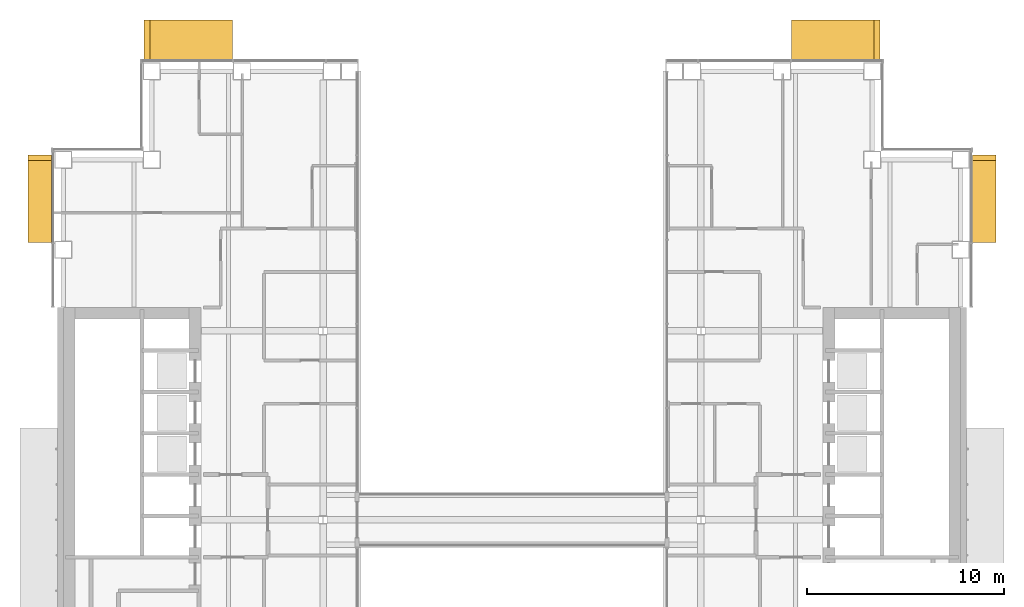
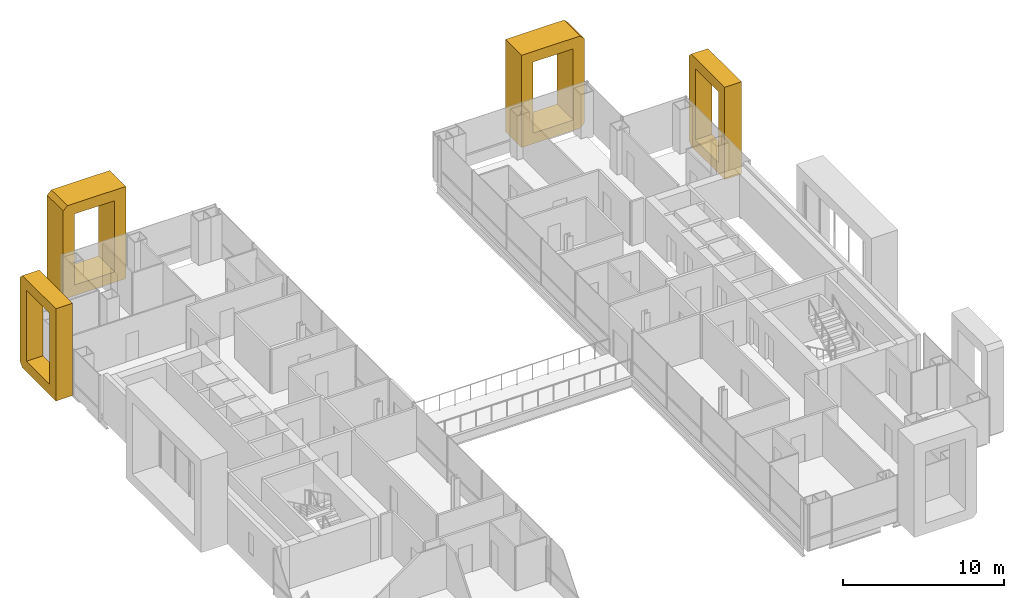
# One storey, part 19 of 20: 4 coverings.
"""IFC4 building model written with IfcOpenShell, lengths in metres."""

import ifcopenshell
import ifcopenshell.guid

model = None  # the IFC model being written
_history = None  # IfcOwnerHistory: only IFC2X3 demands one
_inside = {}  # id of a spatial element -> (the spatial element, [elements in it])
_under = {}  # id of a project, library or spatial element -> (it, [spatial elements below it])
_declared = {}  # id of a project -> (the project, [libraries it declares])
_typed = {}  # id of a type object -> (the type object, [elements of that type])
_made_of = {}  # id of a material, layer set ... -> (it, [elements and type objects made of it])


def new_model(schema):
    """Start an empty IFC model of exactly this schema.

    Asked for "IFC4X3", IfcOpenShell would pick the latest addendum, in which some entities
    have other attributes; the version numbers below select the first issue.
    IFC2X3 requires an IfcOwnerHistory on every rooted entity: one is made here for all.
    """
    global model, _history
    if schema == "IFC4X3":
        model = ifcopenshell.file(schema_version=(4, 3, 0, 0))
    else:
        model = ifcopenshell.file(schema=schema)
    _inside.clear()
    _under.clear()
    _declared.clear()
    _typed.clear()
    _made_of.clear()
    _history = None
    if model.schema == "IFC2X3":
        org = make("IfcOrganization", Name="unknown")
        user = make(
            "IfcPersonAndOrganization",
            ThePerson=make("IfcPerson", FamilyName="unknown"),
            TheOrganization=org,
        )
        app = make(
            "IfcApplication",
            ApplicationDeveloper=org,
            Version="unknown",
            ApplicationFullName="unknown",
            ApplicationIdentifier="unknown",
        )
        _history = make(
            "IfcOwnerHistory",
            OwningUser=user,
            OwningApplication=app,
            ChangeAction="ADDED",
            CreationDate=0,
        )
    return model


def make(cls, **values):
    """One entity of the class cls with the attributes given. An attribute that is None is left unset."""
    return model.create_entity(
        cls, **{name: value for name, value in values.items() if value is not None}
    )


def rooted(cls, **values):
    """An entity with a GlobalId (a new one), such as an element, a storey or a relation."""
    return make(cls, GlobalId=ifcopenshell.guid.new(), OwnerHistory=_history, **values)


def si_unit(unit_type, name, prefix=None):
    """IfcSIUnit, for example si_unit("LENGTHUNIT", "METRE", prefix="MILLI")."""
    return make("IfcSIUnit", UnitType=unit_type, Prefix=prefix, Name=name)


def assignment(units):
    """IfcUnitAssignment: the units of a project."""
    return None if units is None else make("IfcUnitAssignment", Units=units)


def point(xyz):
    """IfcCartesianPoint."""
    return None if xyz is None else make("IfcCartesianPoint", Coordinates=xyz)


def direction(xyz):
    """IfcDirection."""
    return None if xyz is None else make("IfcDirection", DirectionRatios=xyz)


def frame(location, z_axis=None, x_axis=None):
    """IfcAxis2Placement3D, a coordinate frame: its origin and axes. An axis left out is left unset."""
    return make(
        "IfcAxis2Placement3D",
        Location=point(location),
        Axis=direction(z_axis),
        RefDirection=direction(x_axis),
    )


def origin():
    """The frame at (0, 0, 0) with its axes left unset."""
    return frame((0.0, 0.0, 0.0))


def place(relative_to, where):
    """IfcLocalPlacement: puts the frame where relative to a parent placement (None: the world)."""
    return make(
        "IfcLocalPlacement", PlacementRelTo=relative_to, RelativePlacement=where
    )


def context(
    kind, dimensions, precision=None, world=None, true_north=None, identifier=None
):
    """IfcGeometricRepresentationContext, for example the 3D "Model" context."""
    return make(
        "IfcGeometricRepresentationContext",
        ContextIdentifier=identifier,
        ContextType=kind,
        CoordinateSpaceDimension=dimensions,
        Precision=precision,
        WorldCoordinateSystem=world,
        TrueNorth=true_north,
    )


def subcontext(parent, identifier, kind, view, scale=None):
    """IfcGeometricRepresentationSubContext, for example "Body" below "Model"."""
    return make(
        "IfcGeometricRepresentationSubContext",
        ContextIdentifier=identifier,
        ContextType=kind,
        ParentContext=parent,
        TargetScale=scale,
        TargetView=view,
    )


def project(units=None, contexts=None):
    """IfcProject with its units and contexts."""
    return rooted(
        "IfcProject",
        Name="project",
        RepresentationContexts=contexts,
        UnitsInContext=assignment(units),
    )


def spatial(cls, under=None, at=None, **own):
    """A site, building, storey or space (cls), placed at a placement, below another one or the project."""
    s = rooted(cls, ObjectPlacement=at, **own)
    if under is not None:
        _under.setdefault(under.id(), (under, []))[1].append(s)
    return s


def polyline(points):
    """IfcPolyline through the points."""
    return make("IfcPolyline", Points=[point(p) for p in points])


def outline(outer, holes=None, kind="AREA"):
    """IfcArbitraryClosedProfileDef: a profile drawn as a closed curve; with holes, ...WithVoids."""
    if holes is None:
        return make("IfcArbitraryClosedProfileDef", ProfileType=kind, OuterCurve=outer)
    return make(
        "IfcArbitraryProfileDefWithVoids",
        ProfileType=kind,
        OuterCurve=outer,
        InnerCurves=holes,
    )


def extrude(swept, where, along, depth):
    """IfcExtrudedAreaSolid: the profile swept, set in the frame where, extruded along a direction by depth."""
    return make(
        "IfcExtrudedAreaSolid",
        SweptArea=swept,
        Position=where,
        ExtrudedDirection=direction(along),
        Depth=depth,
    )


def shape(context_of_items, identifier, shape_type, items):
    """IfcShapeRepresentation: the items that make up one representation, for example the "Body"."""
    return make(
        "IfcShapeRepresentation",
        ContextOfItems=context_of_items,
        RepresentationIdentifier=identifier,
        RepresentationType=shape_type,
        Items=items,
    )


def material(Name=None, Category=None):
    """IfcMaterial."""
    return make("IfcMaterial", Name=Name, Category=Category)


def made_of(thing, what):
    """Note that an element or type object is made of a material, layer set ...; save() writes the relation."""
    if what is not None:
        _made_of.setdefault(what.id(), (what, []))[1].append(thing)
    return thing


def type_object(cls, material=None, **own):
    """A type object (cls), such as IfcWallType, which elements share."""
    return made_of(rooted(cls, **own), material)


def element(
    cls,
    number,
    at=None,
    inside=None,
    cuts=None,
    type_object=None,
    material=None,
    context=None,
    identifier="Body",
    shape_type=None,
    held_by="IfcProductDefinitionShape",
    body=None,
    shapes=None,
    **own,
):
    """One element of the class cls, such as IfcWall. Its Tag is "e" and its number.

    at: its placement. inside: the storey or other place that contains it. cuts: it is an
    opening in that element (IfcRelVoidsElement). A single representation is given by context,
    identifier, shape_type and body (its items); several are given by shapes. held_by: the class
    of the entity that holds the representations. save() writes the other relations.
    """
    e = rooted(cls, Tag="e%d" % number, ObjectPlacement=at, **own)
    if body is not None:
        shapes = [shape(context, identifier, shape_type, body)]
    if shapes is not None:
        e.Representation = make(held_by, Representations=shapes)
    if inside is not None:
        _inside.setdefault(inside.id(), (inside, []))[1].append(e)
    if cuts is not None:
        rooted(
            "IfcRelVoidsElement", RelatingBuildingElement=cuts, RelatedOpeningElement=e
        )
    if type_object is not None:
        _typed.setdefault(type_object.id(), (type_object, []))[1].append(e)
    return made_of(e, material)


def aggregate(whole, parts):
    """IfcRelAggregates: a whole, such as a stair, and the parts it consists of."""
    return rooted("IfcRelAggregates", RelatingObject=whole, RelatedObjects=parts)


def save(model, path):
    """Write the relations noted so far, then the file.

    IfcRelAggregates (storeys below a building ...), IfcRelContainedInSpatialStructure (elements
    in a storey), IfcRelDefinesByType, IfcRelAssociatesMaterial and IfcRelDeclares: one each for
    every whole, place, type object, material and project.
    """
    for whole, parts in _under.values():
        aggregate(whole, parts)
    for where, things in _inside.values():
        rooted(
            "IfcRelContainedInSpatialStructure",
            RelatedElements=things,
            RelatingStructure=where,
        )
    for kind, things in _typed.values():
        rooted("IfcRelDefinesByType", RelatedObjects=things, RelatingType=kind)
    for what, things in _made_of.values():
        rooted("IfcRelAssociatesMaterial", RelatedObjects=things, RelatingMaterial=what)
    for by, libraries in _declared.values():
        rooted("IfcRelDeclares", RelatingContext=by, RelatedDefinitions=libraries)
    model.write(path)


model = new_model("IFC4")

# Units and contexts
model_context = context("Model", 3, precision=1e-05, world=origin(), true_north=direction((0.0, 1.0)))
body_context = subcontext(model_context, "Body", "Model", "MODEL_VIEW")
ifc_project = project(units=[si_unit("LENGTHUNIT", "METRE"), si_unit("AREAUNIT", "SQUARE_METRE"), si_unit("VOLUMEUNIT", "CUBIC_METRE"), si_unit("PLANEANGLEUNIT", "RADIAN"), si_unit("MASSUNIT", "GRAM", prefix="KILO")], contexts=[model_context])

# Site, building, storey
site_placement = place(None, origin())
site = spatial("IfcSite", under=ifc_project, at=site_placement, CompositionType="ELEMENT")
building_placement = place(site_placement, origin())
building = spatial("IfcBuilding", under=site, at=building_placement, Name="Cobrizo Arcos Hotel Tower", CompositionType="ELEMENT")
storey_placement = place(building_placement, frame((0.0, 0.0, 124.0)))
storey = spatial("IfcBuildingStorey", under=building, at=storey_placement, Name="L31", CompositionType="ELEMENT", Elevation=124.0)

# Coverings
ifc_material = material(Name="Aluminium 6063-T6 anodised bronze", Category="aluminium")
covering_type_1 = type_object("IfcCoveringType", Name="FIN-F 1200", PredefinedType="CLADDING", material=ifc_material)
covering_1_placement = place(storey_placement, frame((23.39990234375, 14.08740234375, 0.0), z_axis=(1.0, 0.0, 0.0), x_axis=(0.0, 1.0, 0.0)))
element("IfcCovering", 1, at=covering_1_placement, inside=storey, type_object=covering_type_1, Name="Fin frame 125", PredefinedType="CLADDING", context=body_context, shape_type="SweptSolid", body=[
    extrude(outline(polyline([(0.0, 7.0), (0.0, 0.0), (4.16259765625, 0.0), (4.46240234375, 0.300048828125), (4.46240234375, 6.699951171875), (4.16259765625, 7.0), (0.0, 7.0)]), holes=[polyline([(3.66259765625, 0.800048828125), (0.800048828125, 0.800048828125), (0.800048828125, 6.199951171875), (3.66259765625, 6.199951171875), (3.66259765625, 0.800048828125)])]), origin(), (0.0, 0.0, 1.0), 1.2001953125),
])
covering_2_placement = place(storey_placement, frame((-23.39990234375, 18.550048828125, 0.0), z_axis=(-1.0, 0.0, 0.0), x_axis=(0.0, -1.0, 0.0)))
element("IfcCovering", 2, at=covering_2_placement, inside=storey, type_object=covering_type_1, Name="Fin frame 166", PredefinedType="CLADDING", context=body_context, shape_type="SweptSolid", body=[
    extrude(outline(polyline([(0.0, 0.300048828125), (0.300048828125, 0.0), (4.46240234375, 0.0), (4.46240234375, 7.0), (0.300048828125, 7.0), (0.0, 6.699951171875), (0.0, 0.300048828125)]), holes=[polyline([(3.66259765625, 0.800048828125), (0.800048828125, 0.800048828125), (0.800048828125, 6.199951171875), (3.66259765625, 6.199951171875), (3.66259765625, 0.800048828125)])]), origin(), (0.0, 0.0, 1.0), 1.2001953125),
])
covering_type_2 = type_object("IfcCoveringType", Name="FIN-F 2000", PredefinedType="CLADDING", material=ifc_material)
covering_3_placement = place(storey_placement, frame((18.699951171875, 23.39990234375, 0.0), z_axis=(0.0, 1.0, 0.0), x_axis=(-1.0, 0.0, 0.0)))
element("IfcCovering", 3, at=covering_3_placement, inside=storey, type_object=covering_type_2, Name="Fin frame 102", PredefinedType="CLADDING", context=body_context, shape_type="SweptSolid", body=[
    extrude(outline(polyline([(0.0, 0.300048828125), (0.300048828125, 0.0), (4.5, 0.0), (4.5, 7.0), (0.300048828125, 7.0), (0.0, 6.699951171875), (0.0, 0.300048828125)]), holes=[polyline([(3.699951171875, 0.800048828125), (0.800048828125, 0.800048828125), (0.800048828125, 6.199951171875), (3.699951171875, 6.199951171875), (3.699951171875, 0.800048828125)])]), origin(), (0.0, 0.0, 1.0), 2.0),
])
covering_4_placement = place(storey_placement, frame((-14.199951171875, 23.39990234375, 0.0), z_axis=(0.0, 1.0, 0.0), x_axis=(-1.0, 0.0, 0.0)))
element("IfcCovering", 4, at=covering_4_placement, inside=storey, type_object=covering_type_2, Name="Fin frame 103", PredefinedType="CLADDING", context=body_context, shape_type="SweptSolid", body=[
    extrude(outline(polyline([(0.0, 7.0), (0.0, 0.0), (4.199951171875, 0.0), (4.5, 0.300048828125), (4.5, 6.699951171875), (4.199951171875, 7.0), (0.0, 7.0)]), holes=[polyline([(3.699951171875, 0.800048828125), (0.800048828125, 0.800048828125), (0.800048828125, 6.199951171875), (3.699951171875, 6.199951171875), (3.699951171875, 0.800048828125)])]), origin(), (0.0, 0.0, 1.0), 2.0),
])

save(model, "model.ifc")
